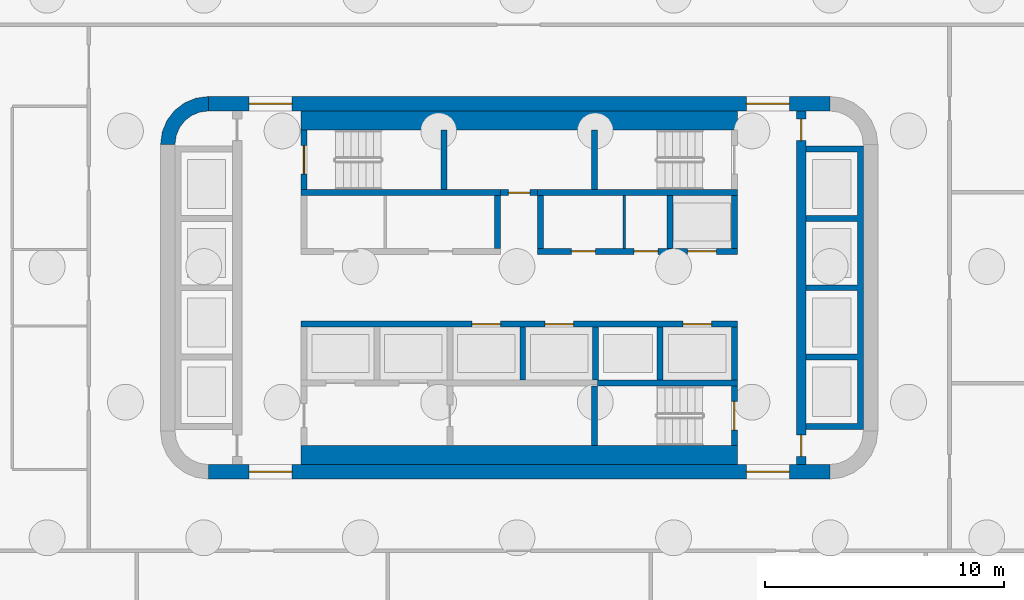
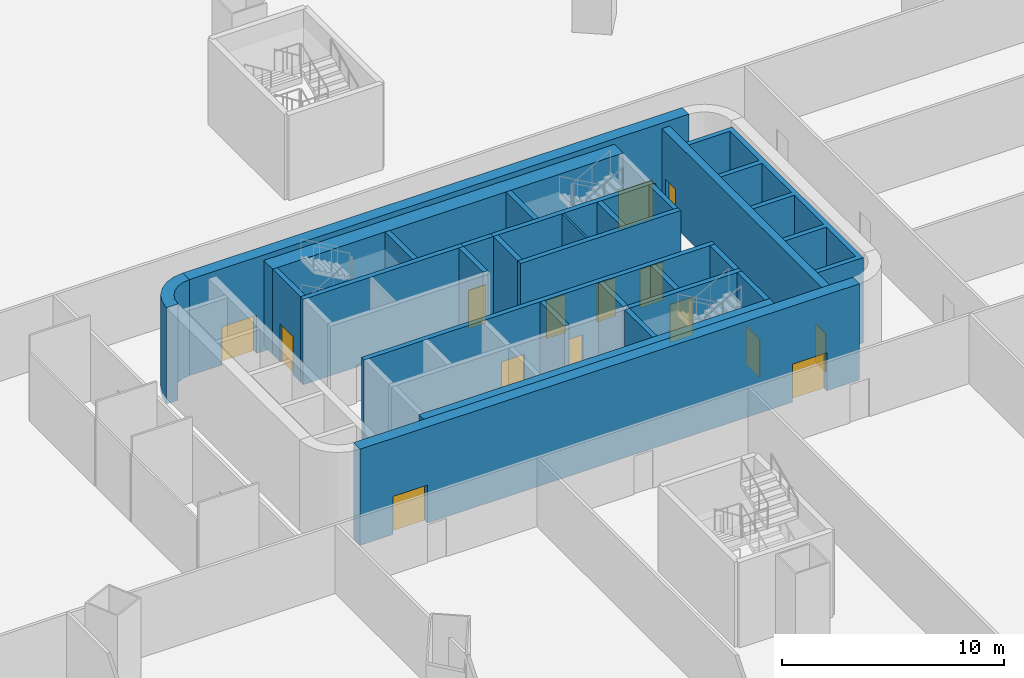
# One storey, part 8 of 19: 27 walls, 15 doors, 15 openings.
"""IFC4 building model written with IfcOpenShell, lengths in metres."""

import ifcopenshell
import ifcopenshell.guid

model = None  # the IFC model being written
_history = None  # IfcOwnerHistory: only IFC2X3 demands one
_inside = {}  # id of a spatial element -> (the spatial element, [elements in it])
_under = {}  # id of a project, library or spatial element -> (it, [spatial elements below it])
_declared = {}  # id of a project -> (the project, [libraries it declares])
_typed = {}  # id of a type object -> (the type object, [elements of that type])
_made_of = {}  # id of a material, layer set ... -> (it, [elements and type objects made of it])


def new_model(schema):
    """Start an empty IFC model of exactly this schema.

    Asked for "IFC4X3", IfcOpenShell would pick the latest addendum, in which some entities
    have other attributes; the version numbers below select the first issue.
    IFC2X3 requires an IfcOwnerHistory on every rooted entity: one is made here for all.
    """
    global model, _history
    if schema == "IFC4X3":
        model = ifcopenshell.file(schema_version=(4, 3, 0, 0))
    else:
        model = ifcopenshell.file(schema=schema)
    _inside.clear()
    _under.clear()
    _declared.clear()
    _typed.clear()
    _made_of.clear()
    _history = None
    if model.schema == "IFC2X3":
        org = make("IfcOrganization", Name="unknown")
        user = make(
            "IfcPersonAndOrganization",
            ThePerson=make("IfcPerson", FamilyName="unknown"),
            TheOrganization=org,
        )
        app = make(
            "IfcApplication",
            ApplicationDeveloper=org,
            Version="unknown",
            ApplicationFullName="unknown",
            ApplicationIdentifier="unknown",
        )
        _history = make(
            "IfcOwnerHistory",
            OwningUser=user,
            OwningApplication=app,
            ChangeAction="ADDED",
            CreationDate=0,
        )
    return model


def make(cls, **values):
    """One entity of the class cls with the attributes given. An attribute that is None is left unset."""
    return model.create_entity(
        cls, **{name: value for name, value in values.items() if value is not None}
    )


def rooted(cls, **values):
    """An entity with a GlobalId (a new one), such as an element, a storey or a relation."""
    return make(cls, GlobalId=ifcopenshell.guid.new(), OwnerHistory=_history, **values)


def si_unit(unit_type, name, prefix=None):
    """IfcSIUnit, for example si_unit("LENGTHUNIT", "METRE", prefix="MILLI")."""
    return make("IfcSIUnit", UnitType=unit_type, Prefix=prefix, Name=name)


def assignment(units):
    """IfcUnitAssignment: the units of a project."""
    return None if units is None else make("IfcUnitAssignment", Units=units)


def point(xyz):
    """IfcCartesianPoint."""
    return None if xyz is None else make("IfcCartesianPoint", Coordinates=xyz)


def direction(xyz):
    """IfcDirection."""
    return None if xyz is None else make("IfcDirection", DirectionRatios=xyz)


def frame(location, z_axis=None, x_axis=None):
    """IfcAxis2Placement3D, a coordinate frame: its origin and axes. An axis left out is left unset."""
    return make(
        "IfcAxis2Placement3D",
        Location=point(location),
        Axis=direction(z_axis),
        RefDirection=direction(x_axis),
    )


def frame_2d(location, x_axis=None):
    """IfcAxis2Placement2D, a coordinate frame in the plane: its origin and x axis."""
    return make(
        "IfcAxis2Placement2D", Location=point(location), RefDirection=direction(x_axis)
    )


def origin():
    """The frame at (0, 0, 0) with its axes left unset."""
    return frame((0.0, 0.0, 0.0))


def place(relative_to, where):
    """IfcLocalPlacement: puts the frame where relative to a parent placement (None: the world)."""
    return make(
        "IfcLocalPlacement", PlacementRelTo=relative_to, RelativePlacement=where
    )


def context(
    kind, dimensions, precision=None, world=None, true_north=None, identifier=None
):
    """IfcGeometricRepresentationContext, for example the 3D "Model" context."""
    return make(
        "IfcGeometricRepresentationContext",
        ContextIdentifier=identifier,
        ContextType=kind,
        CoordinateSpaceDimension=dimensions,
        Precision=precision,
        WorldCoordinateSystem=world,
        TrueNorth=true_north,
    )


def subcontext(parent, identifier, kind, view, scale=None):
    """IfcGeometricRepresentationSubContext, for example "Body" below "Model"."""
    return make(
        "IfcGeometricRepresentationSubContext",
        ContextIdentifier=identifier,
        ContextType=kind,
        ParentContext=parent,
        TargetScale=scale,
        TargetView=view,
    )


def project(units=None, contexts=None):
    """IfcProject with its units and contexts."""
    return rooted(
        "IfcProject",
        Name="project",
        RepresentationContexts=contexts,
        UnitsInContext=assignment(units),
    )


def spatial(cls, under=None, at=None, **own):
    """A site, building, storey or space (cls), placed at a placement, below another one or the project."""
    s = rooted(cls, ObjectPlacement=at, **own)
    if under is not None:
        _under.setdefault(under.id(), (under, []))[1].append(s)
    return s


def polyline(points):
    """IfcPolyline through the points."""
    return make("IfcPolyline", Points=[point(p) for p in points])


def profile(cls, at=None, kind="AREA", **sizes):
    """A parametric profile (cls). Its sizes go by their IFC names, for example OverallWidth=200.0."""
    return make(cls, ProfileType=kind, Position=at, **sizes)


def rectangle(**sizes):
    """IfcRectangleProfileDef."""
    return profile("IfcRectangleProfileDef", **sizes)


def outline(outer, holes=None, kind="AREA"):
    """IfcArbitraryClosedProfileDef: a profile drawn as a closed curve; with holes, ...WithVoids."""
    if holes is None:
        return make("IfcArbitraryClosedProfileDef", ProfileType=kind, OuterCurve=outer)
    return make(
        "IfcArbitraryProfileDefWithVoids",
        ProfileType=kind,
        OuterCurve=outer,
        InnerCurves=holes,
    )


def extrude(swept, where, along, depth):
    """IfcExtrudedAreaSolid: the profile swept, set in the frame where, extruded along a direction by depth."""
    return make(
        "IfcExtrudedAreaSolid",
        SweptArea=swept,
        Position=where,
        ExtrudedDirection=direction(along),
        Depth=depth,
    )


def shape(context_of_items, identifier, shape_type, items):
    """IfcShapeRepresentation: the items that make up one representation, for example the "Body"."""
    return make(
        "IfcShapeRepresentation",
        ContextOfItems=context_of_items,
        RepresentationIdentifier=identifier,
        RepresentationType=shape_type,
        Items=items,
    )


def material(Name=None, Category=None):
    """IfcMaterial."""
    return make("IfcMaterial", Name=Name, Category=Category)


def layer(
    of_material, thickness, ventilated=None, Name=None, Category=None, Priority=None
):
    """IfcMaterialLayer: one layer of a wall or slab, of a material (None: an air gap)."""
    return make(
        "IfcMaterialLayer",
        Material=of_material,
        LayerThickness=thickness,
        IsVentilated=ventilated,
        Name=Name,
        Category=Category,
        Priority=Priority,
    )


def layer_set(layers, Name=None):
    """IfcMaterialLayerSet."""
    return make("IfcMaterialLayerSet", MaterialLayers=layers, LayerSetName=Name)


def made_of(thing, what):
    """Note that an element or type object is made of a material, layer set ...; save() writes the relation."""
    if what is not None:
        _made_of.setdefault(what.id(), (what, []))[1].append(thing)
    return thing


def type_object(cls, material=None, **own):
    """A type object (cls), such as IfcWallType, which elements share."""
    return made_of(rooted(cls, **own), material)


def element(
    cls,
    number,
    at=None,
    inside=None,
    cuts=None,
    type_object=None,
    material=None,
    context=None,
    identifier="Body",
    shape_type=None,
    held_by="IfcProductDefinitionShape",
    body=None,
    shapes=None,
    **own,
):
    """One element of the class cls, such as IfcWall. Its Tag is "e" and its number.

    at: its placement. inside: the storey or other place that contains it. cuts: it is an
    opening in that element (IfcRelVoidsElement). A single representation is given by context,
    identifier, shape_type and body (its items); several are given by shapes. held_by: the class
    of the entity that holds the representations. save() writes the other relations.
    """
    e = rooted(cls, Tag="e%d" % number, ObjectPlacement=at, **own)
    if body is not None:
        shapes = [shape(context, identifier, shape_type, body)]
    if shapes is not None:
        e.Representation = make(held_by, Representations=shapes)
    if inside is not None:
        _inside.setdefault(inside.id(), (inside, []))[1].append(e)
    if cuts is not None:
        rooted(
            "IfcRelVoidsElement", RelatingBuildingElement=cuts, RelatedOpeningElement=e
        )
    if type_object is not None:
        _typed.setdefault(type_object.id(), (type_object, []))[1].append(e)
    return made_of(e, material)


def fill(opening, filler):
    """IfcRelFillsElement: the door or window that sits in an opening."""
    return rooted(
        "IfcRelFillsElement",
        RelatingOpeningElement=opening,
        RelatedBuildingElement=filler,
    )


def aggregate(whole, parts):
    """IfcRelAggregates: a whole, such as a stair, and the parts it consists of."""
    return rooted("IfcRelAggregates", RelatingObject=whole, RelatedObjects=parts)


def save(model, path):
    """Write the relations noted so far, then the file.

    IfcRelAggregates (storeys below a building ...), IfcRelContainedInSpatialStructure (elements
    in a storey), IfcRelDefinesByType, IfcRelAssociatesMaterial and IfcRelDeclares: one each for
    every whole, place, type object, material and project.
    """
    for whole, parts in _under.values():
        aggregate(whole, parts)
    for where, things in _inside.values():
        rooted(
            "IfcRelContainedInSpatialStructure",
            RelatedElements=things,
            RelatingStructure=where,
        )
    for kind, things in _typed.values():
        rooted("IfcRelDefinesByType", RelatedObjects=things, RelatingType=kind)
    for what, things in _made_of.values():
        rooted("IfcRelAssociatesMaterial", RelatedObjects=things, RelatingMaterial=what)
    for by, libraries in _declared.values():
        rooted("IfcRelDeclares", RelatingContext=by, RelatedDefinitions=libraries)
    model.write(path)


model = new_model("IFC4")

# Units and contexts
model_context = context("Model", 3, precision=1e-05, world=origin(), true_north=direction((0.0, 1.0)))
body_context = subcontext(model_context, "Body", "Model", "MODEL_VIEW")
ifc_project = project(units=[si_unit("LENGTHUNIT", "METRE"), si_unit("AREAUNIT", "SQUARE_METRE"), si_unit("VOLUMEUNIT", "CUBIC_METRE"), si_unit("PLANEANGLEUNIT", "RADIAN"), si_unit("MASSUNIT", "GRAM", prefix="KILO")], contexts=[model_context])

# Site, building, storey
site_placement = place(None, origin())
site = spatial("IfcSite", under=ifc_project, at=site_placement, CompositionType="ELEMENT")
building_placement = place(site_placement, origin())
building = spatial("IfcBuilding", under=site, at=building_placement, Name="Sahrelin Media Tower", CompositionType="ELEMENT")
storey_placement = place(building_placement, frame((0.0, 0.0, -5.0)))
storey = spatial("IfcBuildingStorey", under=building, at=storey_placement, Name="B1", CompositionType="ELEMENT", Elevation=-5.0)

# Wall, openings, doors
ifc_material_1 = material(Name="Concrete C60/75", Category="concrete")
ifc_layer_1 = layer(ifc_material_1, 0.60009765625)
ifc_layer_set_1 = layer_set([ifc_layer_1], Name="Core wall 600")
wall_type_1 = type_object("IfcWallType", Name="Core wall 600", PredefinedType="SHEAR", material=ifc_layer_set_1)
wall_1_placement = place(storey_placement, frame((-13.0, 7.699951171875, -0.300048828125), z_axis=(0.0, 0.0, 1.0), x_axis=(1.0, 0.0, 0.0)))
wall_1 = element("IfcWall", 1, at=wall_1_placement, inside=storey, type_object=wall_type_1, Name="Core wall N B1", PredefinedType="SHEAR", context=body_context, shape_type="SweptSolid", body=[
    extrude(rectangle(XDim=26.0, YDim=0.60009765625, at=frame_2d((13.0, 0.0))), origin(), (0.0, 0.0, 1.0), 5.300048828125),
])
opening_1_placement = place(wall_1_placement, frame((1.699951171875, 0.0, 0.0)))
opening_1 = element("IfcOpeningElement", 2, at=opening_1_placement, cuts=wall_1, Name="Opening B1-D15", PredefinedType="OPENING", context=body_context, shape_type="SweptSolid", body=[
    extrude(rectangle(XDim=1.800048828125, YDim=2.10009765625, at=frame_2d((0.89990234375, 1.050048828125))), frame((0.0, 0.300048828125, 0.0), z_axis=(0.0, -1.0, 0.0), x_axis=(1.0, 0.0, 0.0)), (0.0, 0.0, 1.0), 0.60009765625),
])
opening_2_placement = place(wall_1_placement, frame((22.5, 0.0, 0.0)))
opening_2 = element("IfcOpeningElement", 3, at=opening_2_placement, cuts=wall_1, Name="Opening B1-D16", PredefinedType="OPENING", context=body_context, shape_type="SweptSolid", body=[
    extrude(rectangle(XDim=1.800048828125, YDim=2.10009765625, at=frame_2d((0.89990234375, 1.050048828125))), frame((0.0, 0.300048828125, 0.0), z_axis=(0.0, -1.0, 0.0), x_axis=(1.0, 0.0, 0.0)), (0.0, 0.0, 1.0), 0.60009765625),
])
ifc_material_2 = material(Name="Steel fire door leaf", Category="steel")
door_type_1 = type_object("IfcDoorType", Name="Lobby double door 1800 x 2100 EI 60", OperationType="DOUBLE_DOOR_SINGLE_SWING", PredefinedType="DOOR", material=ifc_material_2)
door_1_placement = place(opening_1_placement, origin())
door_1 = element("IfcDoor", 4, at=door_1_placement, inside=storey, type_object=door_type_1, Name="Lobby door", OperationType="DOUBLE_DOOR_SINGLE_SWING", OverallHeight=2.10009765625, OverallWidth=1.800048828125, PredefinedType="DOOR", context=body_context, shape_type="SweptSolid", body=[
    extrude(rectangle(XDim=1.800048828125, YDim=2.10009765625, at=frame_2d((0.89990234375, 1.050048828125))), frame((0.0, 0.02490234375, 0.0), z_axis=(0.0, -1.0, 0.0), x_axis=(1.0, 0.0, 0.0)), (0.0, 0.0, 1.0), 0.050048828125),
])
fill(opening_1, door_1)
door_2_placement = place(opening_2_placement, origin())
door_2 = element("IfcDoor", 5, at=door_2_placement, inside=storey, type_object=door_type_1, Name="Lobby door", OperationType="DOUBLE_DOOR_SINGLE_SWING", OverallHeight=2.10009765625, OverallWidth=1.800048828125, PredefinedType="DOOR", context=body_context, shape_type="SweptSolid", body=[
    extrude(rectangle(XDim=1.800048828125, YDim=2.10009765625, at=frame_2d((0.89990234375, 1.050048828125))), frame((0.0, 0.02490234375, 0.0), z_axis=(0.0, -1.0, 0.0), x_axis=(1.0, 0.0, 0.0)), (0.0, 0.0, 1.0), 0.050048828125),
])
fill(opening_2, door_2)

wall_2_placement = place(storey_placement, frame((-13.0, -7.699951171875, -0.300048828125), z_axis=(0.0, 0.0, 1.0), x_axis=(1.0, 0.0, 0.0)))
wall_2 = element("IfcWall", 6, at=wall_2_placement, inside=storey, type_object=wall_type_1, Name="Core wall S B1", PredefinedType="SHEAR", context=body_context, shape_type="SweptSolid", body=[
    extrude(rectangle(XDim=26.0, YDim=0.60009765625, at=frame_2d((13.0, 0.0))), origin(), (0.0, 0.0, 1.0), 5.300048828125),
])
opening_3_placement = place(wall_2_placement, frame((1.699951171875, 0.0, 0.0)))
opening_3 = element("IfcOpeningElement", 7, at=opening_3_placement, cuts=wall_2, Name="Opening B1-D17", PredefinedType="OPENING", context=body_context, shape_type="SweptSolid", body=[
    extrude(rectangle(XDim=1.800048828125, YDim=2.10009765625, at=frame_2d((0.89990234375, 1.050048828125))), frame((0.0, 0.300048828125, 0.0), z_axis=(0.0, -1.0, 0.0), x_axis=(1.0, 0.0, 0.0)), (0.0, 0.0, 1.0), 0.60009765625),
])
opening_4_placement = place(wall_2_placement, frame((22.5, 0.0, 0.0)))
opening_4 = element("IfcOpeningElement", 8, at=opening_4_placement, cuts=wall_2, Name="Opening B1-D18", PredefinedType="OPENING", context=body_context, shape_type="SweptSolid", body=[
    extrude(rectangle(XDim=1.800048828125, YDim=2.10009765625, at=frame_2d((0.89990234375, 1.050048828125))), frame((0.0, 0.300048828125, 0.0), z_axis=(0.0, -1.0, 0.0), x_axis=(1.0, 0.0, 0.0)), (0.0, 0.0, 1.0), 0.60009765625),
])
door_3_placement = place(opening_3_placement, origin())
door_3 = element("IfcDoor", 9, at=door_3_placement, inside=storey, type_object=door_type_1, Name="Lobby door", OperationType="DOUBLE_DOOR_SINGLE_SWING", OverallHeight=2.10009765625, OverallWidth=1.800048828125, PredefinedType="DOOR", context=body_context, shape_type="SweptSolid", body=[
    extrude(rectangle(XDim=1.800048828125, YDim=2.10009765625, at=frame_2d((0.89990234375, 1.050048828125))), frame((0.0, 0.02490234375, 0.0), z_axis=(0.0, -1.0, 0.0), x_axis=(1.0, 0.0, 0.0)), (0.0, 0.0, 1.0), 0.050048828125),
])
fill(opening_3, door_3)
door_4_placement = place(opening_4_placement, origin())
door_4 = element("IfcDoor", 10, at=door_4_placement, inside=storey, type_object=door_type_1, Name="Lobby door", OperationType="DOUBLE_DOOR_SINGLE_SWING", OverallHeight=2.10009765625, OverallWidth=1.800048828125, PredefinedType="DOOR", context=body_context, shape_type="SweptSolid", body=[
    extrude(rectangle(XDim=1.800048828125, YDim=2.10009765625, at=frame_2d((0.89990234375, 1.050048828125))), frame((0.0, 0.02490234375, 0.0), z_axis=(0.0, -1.0, 0.0), x_axis=(1.0, 0.0, 0.0)), (0.0, 0.0, 1.0), 0.050048828125),
])
fill(opening_4, door_4)

# Wall
wall_3_placement = place(storey_placement, frame((0.0, 0.0, -0.300048828125)))
element("IfcWall", 11, at=wall_3_placement, inside=storey, type_object=wall_type_1, Name="Core wall corner NW B1", PredefinedType="SHEAR", context=body_context, shape_type="SweptSolid", body=[
    extrude(outline(polyline([(-15.0, 6.0), (-14.394775390625, 6.0), (-14.347412109375, 6.361083984375), (-14.2080078125, 6.697509765625), (-13.986328125, 6.986328125), (-13.697509765625, 7.2080078125), (-13.361083984375, 7.347412109375), (-13.0, 7.394775390625), (-13.0, 8.0), (-13.517578125, 7.931884765625), (-14.0, 7.732177734375), (-14.414306640625, 7.414306640625), (-14.732177734375, 7.0), (-14.931884765625, 6.517578125), (-15.0, 6.0)])), origin(), (0.0, 0.0, 1.0), 5.300048828125),
])

# Wall, opening, door
ifc_material_3 = material(Name="Fire-rated gypsum board partition")
ifc_layer_2 = layer(ifc_material_3, 0.25)
ifc_layer_set_2 = layer_set([ifc_layer_2], Name="Fire-rated lobby wall 250")
wall_type_2 = type_object("IfcWallType", Name="Fire-rated lobby wall 250", PredefinedType="PARTITIONING", material=ifc_layer_set_2)
wall_4_placement = place(storey_placement, frame((-0.77490234375, 3.97509765625, 0.0), z_axis=(0.0, 0.0, 1.0), x_axis=(1.0, 0.0, 0.0)))
wall_4 = element("IfcWall", 12, at=wall_4_placement, inside=storey, type_object=wall_type_2, Name="Core lobby wall", PredefinedType="PARTITIONING", context=body_context, shape_type="SweptSolid", body=[
    extrude(rectangle(XDim=1.5498046875, YDim=0.25, at=frame_2d((0.77490234375, 0.0))), origin(), (0.0, 0.0, 1.0), 4.699951171875),
])
opening_5_placement = place(wall_4_placement, frame((0.324951171875, 0.0, 0.0)))
opening_5 = element("IfcOpeningElement", 13, at=opening_5_placement, cuts=wall_4, Name="Opening B1-D06", PredefinedType="OPENING", context=body_context, shape_type="SweptSolid", body=[
    extrude(rectangle(XDim=0.89990234375, YDim=2.10009765625, at=frame_2d((0.449951171875, 1.050048828125))), frame((0.0, 0.125, 0.0), z_axis=(0.0, -1.0, 0.0), x_axis=(1.0, 0.0, 0.0)), (0.0, 0.0, 1.0), 0.25),
])
door_type_2 = type_object("IfcDoorType", Name="Riser door 900 x 2100 EI 120", OperationType="NOTDEFINED", PredefinedType="DOOR", material=ifc_material_2)
door_5_placement = place(opening_5_placement, origin())
door_5 = element("IfcDoor", 14, at=door_5_placement, inside=storey, type_object=door_type_2, Name="Core room door", OperationType="SINGLE_SWING_LEFT", OverallHeight=2.10009765625, OverallWidth=0.89990234375, PredefinedType="DOOR", context=body_context, shape_type="SweptSolid", body=[
    extrude(rectangle(XDim=0.89990234375, YDim=2.10009765625, at=frame_2d((0.449951171875, 1.050048828125))), frame((0.0, 0.02490234375, 0.0), z_axis=(0.0, -1.0, 0.0), x_axis=(1.0, 0.0, 0.0)), (0.0, 0.0, 1.0), 0.050048828125),
])
fill(opening_5, door_5)

# Walls
for number, where, z_axis, x_axis, name in (
    (15, (-0.89990234375, 1.64990234375, 0.0), (0.0, 0.0, 1.0), (0.0, 1.0, 0.0), "Core lobby wall"),
    (16, (9.0, 1.64990234375, 0.0), (0.0, 0.0, 1.0), (0.0, 1.0, 0.0), "Core lobby wall"),
    (17, (0.89990234375, 1.64990234375, 0.0), (0.0, 0.0, 1.0), (0.0, 1.0, 0.0), "Core lobby wall"),
):
    element("IfcWall", number, at=place(storey_placement, frame(where, z_axis=z_axis, x_axis=x_axis)), inside=storey, type_object=wall_type_2, Name=name, PredefinedType="PARTITIONING", context=body_context, shape_type="SweptSolid", body=[
        extrude(rectangle(XDim=2.2001953125, YDim=0.25, at=frame_2d((1.10009765625, 0.0))), origin(), (0.0, 0.0, 1.0), 4.699951171875),
    ])
ifc_layer_3 = layer(ifc_material_3, 0.10009765625)
ifc_layer_set_3 = layer_set([ifc_layer_3], Name="Fire-rated partition 100")
wall_type_3 = type_object("IfcWallType", Name="Fire-rated partition 100", PredefinedType="PARTITIONING", material=ifc_layer_set_3)
wall_5_placement = place(storey_placement, frame((4.39990234375, 1.64990234375, 0.0), z_axis=(0.0, 0.0, 1.0), x_axis=(0.0, 1.0, 0.0)))
element("IfcWall", 18, at=wall_5_placement, inside=storey, type_object=wall_type_3, Name="Core room partition", PredefinedType="PARTITIONING", context=body_context, shape_type="SweptSolid", body=[
    extrude(rectangle(XDim=2.2001953125, YDim=0.10009765625, at=frame_2d((1.10009765625, 0.0))), origin(), (0.0, 0.0, 1.0), 4.699951171875),
])

# Wall, openings, doors
ifc_layer_4 = layer(ifc_material_1, 0.25)
ifc_layer_set_4 = layer_set([ifc_layer_4], Name="Lift shaft wall 250")
wall_type_4 = type_object("IfcWallType", Name="Lift shaft wall 250", PredefinedType="SOLIDWALL", material=ifc_layer_set_4)
wall_6_placement = place(storey_placement, frame((0.77490234375, 1.52490234375, 0.0), z_axis=(0.0, 0.0, 1.0), x_axis=(1.0, 0.0, 0.0)))
wall_6 = element("IfcWall", 19, at=wall_6_placement, inside=storey, type_object=wall_type_4, Name="Lift shaft wall", PredefinedType="SOLIDWALL", context=body_context, shape_type="SweptSolid", body=[
    extrude(rectangle(XDim=8.35009765625, YDim=0.25, at=frame_2d((4.175048828125, 0.0))), origin(), (0.0, 0.0, 1.0), 4.699951171875),
])
opening_6_placement = place(wall_6_placement, frame((6.27490234375, 0.0, 0.0)))
opening_6 = element("IfcOpeningElement", 20, at=opening_6_placement, cuts=wall_6, Name="Opening B1-LD-PR2", PredefinedType="OPENING", context=body_context, shape_type="SweptSolid", body=[
    extrude(rectangle(XDim=1.199951171875, YDim=2.10009765625, at=frame_2d((0.60009765625, 1.050048828125))), frame((0.0, 0.125, 0.0), z_axis=(0.0, -1.0, 0.0), x_axis=(1.0, 0.0, 0.0)), (0.0, 0.0, 1.0), 0.25),
])
opening_7_placement = place(wall_6_placement, frame((1.41259765625, 0.0, 0.0)))
opening_7 = element("IfcOpeningElement", 21, at=opening_7_placement, cuts=wall_6, Name="Opening B1-D09", PredefinedType="OPENING", context=body_context, shape_type="SweptSolid", body=[
    extrude(rectangle(XDim=1.0, YDim=2.10009765625, at=frame_2d((0.5, 1.050048828125))), frame((0.0, 0.125, 0.0), z_axis=(0.0, -1.0, 0.0), x_axis=(1.0, 0.0, 0.0)), (0.0, 0.0, 1.0), 0.25),
])
opening_8_placement = place(wall_6_placement, frame((4.03759765625, 0.0, 0.0)))
opening_8 = element("IfcOpeningElement", 22, at=opening_8_placement, cuts=wall_6, Name="Opening B1-D10", PredefinedType="OPENING", context=body_context, shape_type="SweptSolid", body=[
    extrude(rectangle(XDim=1.0, YDim=2.10009765625, at=frame_2d((0.5, 1.050048828125))), frame((0.0, 0.125, 0.0), z_axis=(0.0, -1.0, 0.0), x_axis=(1.0, 0.0, 0.0)), (0.0, 0.0, 1.0), 0.25),
])
door_type_3 = type_object("IfcDoorType", Name="Fire door 1000 x 2100 EI 60", OperationType="NOTDEFINED", PredefinedType="DOOR", material=ifc_material_2)
door_6_placement = place(opening_7_placement, origin())
door_6 = element("IfcDoor", 23, at=door_6_placement, inside=storey, type_object=door_type_3, Name="Core room door", OperationType="SINGLE_SWING_LEFT", OverallHeight=2.10009765625, OverallWidth=1.0, PredefinedType="DOOR", context=body_context, shape_type="SweptSolid", body=[
    extrude(rectangle(XDim=1.0, YDim=2.10009765625, at=frame_2d((0.5, 1.050048828125))), frame((0.0, 0.02490234375, 0.0), z_axis=(0.0, -1.0, 0.0), x_axis=(1.0, 0.0, 0.0)), (0.0, 0.0, 1.0), 0.050048828125),
])
fill(opening_7, door_6)
door_7_placement = place(opening_8_placement, origin())
door_7 = element("IfcDoor", 24, at=door_7_placement, inside=storey, type_object=door_type_3, Name="Core room door", OperationType="SINGLE_SWING_LEFT", OverallHeight=2.10009765625, OverallWidth=1.0, PredefinedType="DOOR", context=body_context, shape_type="SweptSolid", body=[
    extrude(rectangle(XDim=1.0, YDim=2.10009765625, at=frame_2d((0.5, 1.050048828125))), frame((0.0, 0.02490234375, 0.0), z_axis=(0.0, -1.0, 0.0), x_axis=(1.0, 0.0, 0.0)), (0.0, 0.0, 1.0), 0.050048828125),
])
fill(opening_8, door_7)
ifc_material_4 = material(Name="Stainless steel", Category="steel")
door_type_4 = type_object("IfcDoorType", Name="Lift landing door 1200 x 2100 EI 120", OperationType="DOUBLE_DOOR_SLIDING", PredefinedType="DOOR", material=ifc_material_4)
door_8_placement = place(opening_6_placement, origin())
door_8 = element("IfcDoor", 25, at=door_8_placement, inside=storey, type_object=door_type_4, Name="Lift landing door PR2", OperationType="DOUBLE_DOOR_SLIDING", OverallHeight=2.10009765625, OverallWidth=1.199951171875, PredefinedType="DOOR", context=body_context, shape_type="SweptSolid", body=[
    extrude(rectangle(XDim=1.199951171875, YDim=2.10009765625, at=frame_2d((0.60009765625, 1.050048828125))), frame((0.0, 0.02490234375, 0.0), z_axis=(0.0, -1.0, 0.0), x_axis=(1.0, 0.0, 0.0)), (0.0, 0.0, 1.0), 0.050048828125),
])
fill(opening_6, door_8)

# Wall
wall_7_placement = place(storey_placement, frame((6.300048828125, 1.64990234375, 0.0), z_axis=(0.0, 0.0, 1.0), x_axis=(0.0, 1.0, 0.0)))
element("IfcWall", 26, at=wall_7_placement, inside=storey, type_object=wall_type_4, Name="Lift shaft wall", PredefinedType="SOLIDWALL", context=body_context, shape_type="SweptSolid", body=[
    extrude(rectangle(XDim=2.2001953125, YDim=0.25, at=frame_2d((1.10009765625, 0.0))), origin(), (0.0, 0.0, 1.0), 4.699951171875),
])

# Wall, openings, doors
wall_8_placement = place(storey_placement, frame((-9.125, -1.52490234375, 0.0), z_axis=(0.0, 0.0, 1.0), x_axis=(1.0, 0.0, 0.0)))
wall_8 = element("IfcWall", 27, at=wall_8_placement, inside=storey, type_object=wall_type_4, Name="Lift shaft wall", PredefinedType="SOLIDWALL", context=body_context, shape_type="SweptSolid", body=[
    extrude(rectangle(XDim=18.25, YDim=0.25, at=frame_2d((9.125, 0.0))), origin(), (0.0, 0.0, 1.0), 4.699951171875),
])
opening_9_placement = place(wall_8_placement, frame((7.14990234375, 0.0, 0.0)))
opening_9 = element("IfcOpeningElement", 28, at=opening_9_placement, cuts=wall_8, Name="Opening B1-LD-SV1", PredefinedType="OPENING", context=body_context, shape_type="SweptSolid", body=[
    extrude(rectangle(XDim=1.199951171875, YDim=2.10009765625, at=frame_2d((0.60009765625, 1.050048828125))), frame((0.0, 0.125, 0.0), z_axis=(0.0, -1.0, 0.0), x_axis=(1.0, 0.0, 0.0)), (0.0, 0.0, 1.0), 0.25),
])
opening_10_placement = place(wall_8_placement, frame((10.199951171875, 0.0, 0.0)))
opening_10 = element("IfcOpeningElement", 29, at=opening_10_placement, cuts=wall_8, Name="Opening B1-LD-SV2", PredefinedType="OPENING", context=body_context, shape_type="SweptSolid", body=[
    extrude(rectangle(XDim=1.199951171875, YDim=2.10009765625, at=frame_2d((0.60009765625, 1.050048828125))), frame((0.0, 0.125, 0.0), z_axis=(0.0, -1.0, 0.0), x_axis=(1.0, 0.0, 0.0)), (0.0, 0.0, 1.0), 0.25),
])
opening_11_placement = place(wall_8_placement, frame((15.97509765625, 0.0, 0.0)))
opening_11 = element("IfcOpeningElement", 30, at=opening_11_placement, cuts=wall_8, Name="Opening B1-LD-PR1", PredefinedType="OPENING", context=body_context, shape_type="SweptSolid", body=[
    extrude(rectangle(XDim=1.199951171875, YDim=2.10009765625, at=frame_2d((0.60009765625, 1.050048828125))), frame((0.0, 0.125, 0.0), z_axis=(0.0, -1.0, 0.0), x_axis=(1.0, 0.0, 0.0)), (0.0, 0.0, 1.0), 0.25),
])
door_9_placement = place(opening_9_placement, origin())
door_9 = element("IfcDoor", 31, at=door_9_placement, inside=storey, type_object=door_type_4, Name="Lift landing door SV1", OperationType="DOUBLE_DOOR_SLIDING", OverallHeight=2.10009765625, OverallWidth=1.199951171875, PredefinedType="DOOR", context=body_context, shape_type="SweptSolid", body=[
    extrude(rectangle(XDim=1.199951171875, YDim=2.10009765625, at=frame_2d((0.60009765625, 1.050048828125))), frame((0.0, 0.02490234375, 0.0), z_axis=(0.0, -1.0, 0.0), x_axis=(1.0, 0.0, 0.0)), (0.0, 0.0, 1.0), 0.050048828125),
])
fill(opening_9, door_9)
door_10_placement = place(opening_10_placement, origin())
door_10 = element("IfcDoor", 32, at=door_10_placement, inside=storey, type_object=door_type_4, Name="Lift landing door SV2", OperationType="DOUBLE_DOOR_SLIDING", OverallHeight=2.10009765625, OverallWidth=1.199951171875, PredefinedType="DOOR", context=body_context, shape_type="SweptSolid", body=[
    extrude(rectangle(XDim=1.199951171875, YDim=2.10009765625, at=frame_2d((0.60009765625, 1.050048828125))), frame((0.0, 0.02490234375, 0.0), z_axis=(0.0, -1.0, 0.0), x_axis=(1.0, 0.0, 0.0)), (0.0, 0.0, 1.0), 0.050048828125),
])
fill(opening_10, door_10)
door_11_placement = place(opening_11_placement, origin())
door_11 = element("IfcDoor", 33, at=door_11_placement, inside=storey, type_object=door_type_4, Name="Lift landing door PR1", OperationType="DOUBLE_DOOR_SLIDING", OverallHeight=2.10009765625, OverallWidth=1.199951171875, PredefinedType="DOOR", context=body_context, shape_type="SweptSolid", body=[
    extrude(rectangle(XDim=1.199951171875, YDim=2.10009765625, at=frame_2d((0.60009765625, 1.050048828125))), frame((0.0, 0.02490234375, 0.0), z_axis=(0.0, -1.0, 0.0), x_axis=(1.0, 0.0, 0.0)), (0.0, 0.0, 1.0), 0.050048828125),
])
fill(opening_11, door_11)

# Walls
wall_9_placement = place(storey_placement, frame((3.27490234375, -3.97509765625, 0.0), z_axis=(0.0, 0.0, 1.0), x_axis=(1.0, 0.0, 0.0)))
element("IfcWall", 34, at=wall_9_placement, inside=storey, type_object=wall_type_4, Name="Lift shaft wall", PredefinedType="SOLIDWALL", context=body_context, shape_type="SweptSolid", body=[
    extrude(rectangle(XDim=5.85009765625, YDim=0.25, at=frame_2d((2.925048828125, 0.0))), origin(), (0.0, 0.0, 1.0), 4.699951171875),
])
for number, where, z_axis, x_axis, name in (
    (35, (0.14990234375, -3.85009765625, 0.0), (0.0, 0.0, 1.0), (0.0, 1.0, 0.0), "Lift shaft wall"),
    (36, (3.199951171875, -3.85009765625, 0.0), (0.0, 0.0, 1.0), (0.0, 1.0, 0.0), "Lift shaft wall"),
    (37, (5.89990234375, -3.85009765625, 0.0), (0.0, 0.0, 1.0), (0.0, 1.0, 0.0), "Lift shaft wall"),
    (38, (9.0, -3.85009765625, 0.0), (0.0, 0.0, 1.0), (0.0, 1.0, 0.0), "Lift shaft wall"),
):
    element("IfcWall", number, at=place(storey_placement, frame(where, z_axis=z_axis, x_axis=x_axis)), inside=storey, type_object=wall_type_4, Name=name, PredefinedType="SOLIDWALL", context=body_context, shape_type="SweptSolid", body=[
        extrude(rectangle(XDim=2.2001953125, YDim=0.25, at=frame_2d((1.10009765625, 0.0))), origin(), (0.0, 0.0, 1.0), 4.699951171875),
    ])
wall_10_placement = place(storey_placement, origin())
element("IfcWall", 39, at=wall_10_placement, inside=storey, type_object=wall_type_4, Name="Lift shaft wall", PredefinedType="SOLIDWALL", context=body_context, shape_type="SweptSolid", body=[
    extrude(outline(polyline([(12.0, -5.675048828125), (12.0, -5.925048828125), (14.14990234375, -5.925048828125), (14.39990234375, -5.925048828125), (14.39990234375, -5.675048828125), (14.39990234375, -3.02490234375), (14.39990234375, -2.77490234375), (14.39990234375, -0.125), (14.39990234375, 0.125), (14.39990234375, 2.77490234375), (14.39990234375, 3.02490234375), (14.39990234375, 5.675048828125), (14.39990234375, 5.925048828125), (14.14990234375, 5.925048828125), (12.0, 5.925048828125), (12.0, 5.675048828125), (14.14990234375, 5.675048828125), (14.14990234375, 3.02490234375), (12.0, 3.02490234375), (12.0, 2.77490234375), (14.14990234375, 2.77490234375), (14.14990234375, 0.125), (12.0, 0.125), (12.0, -0.125), (14.14990234375, -0.125), (14.14990234375, -2.77490234375), (12.0, -2.77490234375), (12.0, -3.02490234375), (14.14990234375, -3.02490234375), (14.14990234375, -5.675048828125), (12.0, -5.675048828125)])), origin(), (0.0, 0.0, 1.0), 4.699951171875),
])

# Wall, openings, doors
ifc_layer_5 = layer(ifc_material_1, 0.39990234375)
ifc_layer_set_5 = layer_set([ifc_layer_5], Name="Lift shaft wall 400")
wall_type_5 = type_object("IfcWallType", Name="Lift shaft wall 400", PredefinedType="SOLIDWALL", material=ifc_layer_set_5)
wall_11_placement = place(storey_placement, frame((11.800048828125, -7.39990234375, 0.0), z_axis=(0.0, 0.0, 1.0), x_axis=(0.0, 1.0, 0.0)))
wall_11 = element("IfcWall", 40, at=wall_11_placement, inside=storey, type_object=wall_type_5, Name="Lift shaft wall", PredefinedType="SOLIDWALL", context=body_context, shape_type="SweptSolid", body=[
    extrude(rectangle(XDim=14.7998046875, YDim=0.39990234375, at=frame_2d((7.39990234375, 0.0))), origin(), (0.0, 0.0, 1.0), 4.699951171875),
])
opening_12_placement = place(wall_11_placement, frame((13.552490234375, 0.0, 0.0)))
opening_12 = element("IfcOpeningElement", 41, at=opening_12_placement, cuts=wall_11, Name="Opening B1-D13", PredefinedType="OPENING", context=body_context, shape_type="SweptSolid", body=[
    extrude(rectangle(XDim=0.89990234375, YDim=2.10009765625, at=frame_2d((0.449951171875, 1.050048828125))), frame((0.0, 0.199951171875, 0.0), z_axis=(0.0, -1.0, 0.0), x_axis=(1.0, 0.0, 0.0)), (0.0, 0.0, 1.0), 0.39990234375),
])
opening_13_placement = place(wall_11_placement, frame((0.347412109375, 0.0, 0.0)))
opening_13 = element("IfcOpeningElement", 42, at=opening_13_placement, cuts=wall_11, Name="Opening B1-D14", PredefinedType="OPENING", context=body_context, shape_type="SweptSolid", body=[
    extrude(rectangle(XDim=0.89990234375, YDim=2.10009765625, at=frame_2d((0.449951171875, 1.050048828125))), frame((0.0, 0.199951171875, 0.0), z_axis=(0.0, -1.0, 0.0), x_axis=(1.0, 0.0, 0.0)), (0.0, 0.0, 1.0), 0.39990234375),
])
door_12_placement = place(opening_12_placement, origin())
door_12 = element("IfcDoor", 43, at=door_12_placement, inside=storey, type_object=door_type_2, Name="Riser door", OperationType="SINGLE_SWING_RIGHT", OverallHeight=2.10009765625, OverallWidth=0.89990234375, PredefinedType="DOOR", context=body_context, shape_type="SweptSolid", body=[
    extrude(rectangle(XDim=0.89990234375, YDim=2.10009765625, at=frame_2d((0.449951171875, 1.050048828125))), frame((0.0, 0.02490234375, 0.0), z_axis=(0.0, -1.0, 0.0), x_axis=(1.0, 0.0, 0.0)), (0.0, 0.0, 1.0), 0.050048828125),
])
fill(opening_12, door_12)
door_13_placement = place(opening_13_placement, origin())
door_13 = element("IfcDoor", 44, at=door_13_placement, inside=storey, type_object=door_type_2, Name="Riser door", OperationType="SINGLE_SWING_RIGHT", OverallHeight=2.10009765625, OverallWidth=0.89990234375, PredefinedType="DOOR", context=body_context, shape_type="SweptSolid", body=[
    extrude(rectangle(XDim=0.89990234375, YDim=2.10009765625, at=frame_2d((0.449951171875, 1.050048828125))), frame((0.0, 0.02490234375, 0.0), z_axis=(0.0, -1.0, 0.0), x_axis=(1.0, 0.0, 0.0)), (0.0, 0.0, 1.0), 0.050048828125),
])
fill(opening_13, door_13)

# Wall, opening, door
ifc_layer_6 = layer(ifc_material_1, 0.25)
ifc_layer_set_6 = layer_set([ifc_layer_6], Name="Stair enclosure wall 250")
wall_type_6 = type_object("IfcWallType", Name="Stair enclosure wall 250", PredefinedType="SOLIDWALL", material=ifc_layer_set_6)
wall_12_placement = place(storey_placement, frame((-9.0, 4.10009765625, 0.0), z_axis=(0.0, 0.0, 1.0), x_axis=(0.0, 1.0, 0.0)))
wall_12 = element("IfcWall", 45, at=wall_12_placement, inside=storey, type_object=wall_type_6, Name="Stair enclosure wall", PredefinedType="SOLIDWALL", context=body_context, shape_type="SweptSolid", body=[
    extrude(rectangle(XDim=2.5, YDim=0.25, at=frame_2d((1.25, 0.0))), origin(), (0.0, 0.0, 1.0), 4.699951171875),
])
opening_14_placement = place(wall_12_placement, frame((0.64990234375, 0.0, 0.0)))
opening_14 = element("IfcOpeningElement", 46, at=opening_14_placement, cuts=wall_12, Name="Opening B1-D01", PredefinedType="OPENING", context=body_context, shape_type="SweptSolid", body=[
    extrude(rectangle(XDim=1.199951171875, YDim=2.10009765625, at=frame_2d((0.60009765625, 1.050048828125))), frame((0.0, 0.125, 0.0), z_axis=(0.0, -1.0, 0.0), x_axis=(1.0, 0.0, 0.0)), (0.0, 0.0, 1.0), 0.25),
])
door_type_5 = type_object("IfcDoorType", Name="Stair door 1200 x 2100 EI 120", OperationType="NOTDEFINED", PredefinedType="DOOR", material=ifc_material_2)
door_14_placement = place(opening_14_placement, origin())
door_14 = element("IfcDoor", 47, at=door_14_placement, inside=storey, type_object=door_type_5, Name="Stair door ST1", OperationType="SINGLE_SWING_RIGHT", OverallHeight=2.10009765625, OverallWidth=1.199951171875, PredefinedType="DOOR", context=body_context, shape_type="SweptSolid", body=[
    extrude(rectangle(XDim=1.199951171875, YDim=2.10009765625, at=frame_2d((0.60009765625, 1.050048828125))), frame((0.0, 0.02490234375, 0.0), z_axis=(0.0, -1.0, 0.0), x_axis=(1.0, 0.0, 0.0)), (0.0, 0.0, 1.0), 0.050048828125),
])
fill(opening_14, door_14)

wall_13_placement = place(storey_placement, frame((9.0, -6.60009765625, 0.0), z_axis=(0.0, 0.0, 1.0), x_axis=(0.0, 1.0, 0.0)))
wall_13 = element("IfcWall", 48, at=wall_13_placement, inside=storey, type_object=wall_type_6, Name="Stair enclosure wall", PredefinedType="SOLIDWALL", context=body_context, shape_type="SweptSolid", body=[
    extrude(rectangle(XDim=2.5, YDim=0.25, at=frame_2d((1.25, 0.0))), origin(), (0.0, 0.0, 1.0), 4.699951171875),
])
opening_15_placement = place(wall_13_placement, frame((0.64990234375, 0.0, 0.0)))
opening_15 = element("IfcOpeningElement", 49, at=opening_15_placement, cuts=wall_13, Name="Opening B1-D03", PredefinedType="OPENING", context=body_context, shape_type="SweptSolid", body=[
    extrude(rectangle(XDim=1.199951171875, YDim=2.10009765625, at=frame_2d((0.60009765625, 1.050048828125))), frame((0.0, 0.125, 0.0), z_axis=(0.0, -1.0, 0.0), x_axis=(1.0, 0.0, 0.0)), (0.0, 0.0, 1.0), 0.25),
])
door_15_placement = place(opening_15_placement, origin())
door_15 = element("IfcDoor", 50, at=door_15_placement, inside=storey, type_object=door_type_5, Name="Stair door ST2", OperationType="SINGLE_SWING_LEFT", OverallHeight=2.10009765625, OverallWidth=1.199951171875, PredefinedType="DOOR", context=body_context, shape_type="SweptSolid", body=[
    extrude(rectangle(XDim=1.199951171875, YDim=2.10009765625, at=frame_2d((0.60009765625, 1.050048828125))), frame((0.0, 0.02490234375, 0.0), z_axis=(0.0, -1.0, 0.0), x_axis=(1.0, 0.0, 0.0)), (0.0, 0.0, 1.0), 0.050048828125),
])
fill(opening_15, door_15)

# Walls
for number, where, z_axis, x_axis, name in (
    (51, (-3.14990234375, 4.10009765625, 0.0), (0.0, 0.0, 1.0), (0.0, 1.0, 0.0), "Stair enclosure wall"),
    (52, (3.14990234375, 4.10009765625, 0.0), (0.0, 0.0, 1.0), (0.0, 1.0, 0.0), "Stair enclosure wall"),
    (53, (3.14990234375, -6.60009765625, 0.0), (0.0, 0.0, 1.0), (0.0, 1.0, 0.0), "Stair enclosure wall"),
):
    element("IfcWall", number, at=place(storey_placement, frame(where, z_axis=z_axis, x_axis=x_axis)), inside=storey, type_object=wall_type_6, Name=name, PredefinedType="SOLIDWALL", context=body_context, shape_type="SweptSolid", body=[
        extrude(rectangle(XDim=2.5, YDim=0.25, at=frame_2d((1.25, 0.0))), origin(), (0.0, 0.0, 1.0), 4.699951171875),
    ])
for number, where, z_axis, x_axis, name in (
    (54, (-9.125, 3.97509765625, 0.0), (0.0, 0.0, 1.0), (1.0, 0.0, 0.0), "Stair enclosure wall"),
    (55, (0.77490234375, 3.97509765625, 0.0), (0.0, 0.0, 1.0), (1.0, 0.0, 0.0), "Stair enclosure wall"),
):
    element("IfcWall", number, at=place(storey_placement, frame(where, z_axis=z_axis, x_axis=x_axis)), inside=storey, type_object=wall_type_6, Name=name, PredefinedType="SOLIDWALL", context=body_context, shape_type="SweptSolid", body=[
        extrude(rectangle(XDim=8.35009765625, YDim=0.25, at=frame_2d((4.175048828125, 0.0))), origin(), (0.0, 0.0, 1.0), 4.699951171875),
    ])
ifc_layer_7 = layer(ifc_material_1, 0.800048828125)
ifc_layer_set_7 = layer_set([ifc_layer_7], Name="Stair enclosure wall 800")
wall_type_7 = type_object("IfcWallType", Name="Stair enclosure wall 800", PredefinedType="SOLIDWALL", material=ifc_layer_set_7)
for number, where, z_axis, x_axis, name in (
    (56, (-9.125, 7.0, 0.0), (0.0, 0.0, 1.0), (1.0, 0.0, 0.0), "Stair enclosure wall"),
    (57, (-9.125, -7.0, 0.0), (0.0, 0.0, 1.0), (1.0, 0.0, 0.0), "Stair enclosure wall"),
):
    element("IfcWall", number, at=place(storey_placement, frame(where, z_axis=z_axis, x_axis=x_axis)), inside=storey, type_object=wall_type_7, Name=name, PredefinedType="SOLIDWALL", context=body_context, shape_type="SweptSolid", body=[
        extrude(rectangle(XDim=18.25, YDim=0.800048828125, at=frame_2d((9.125, 0.0))), origin(), (0.0, 0.0, 1.0), 4.699951171875),
    ])

save(model, "model.ifc")
